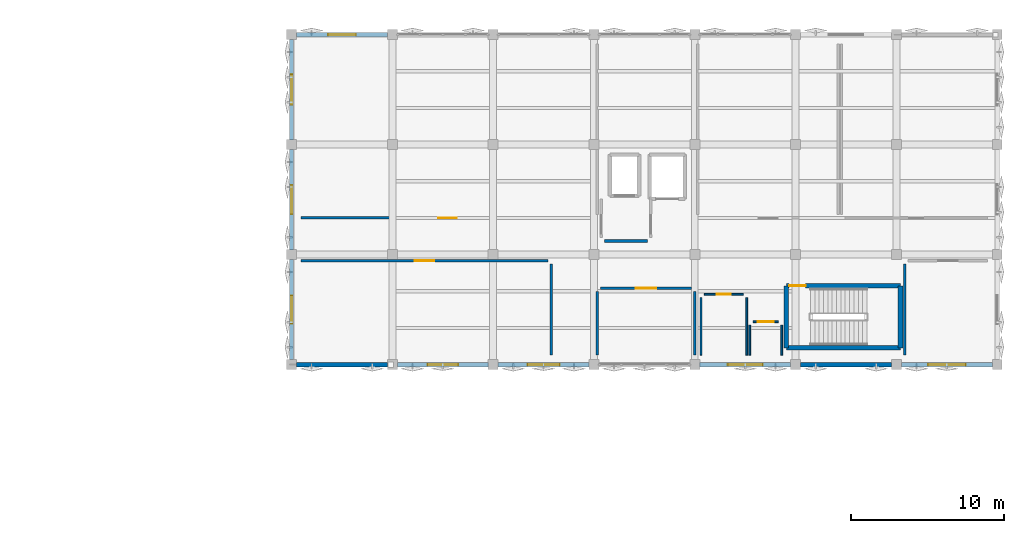
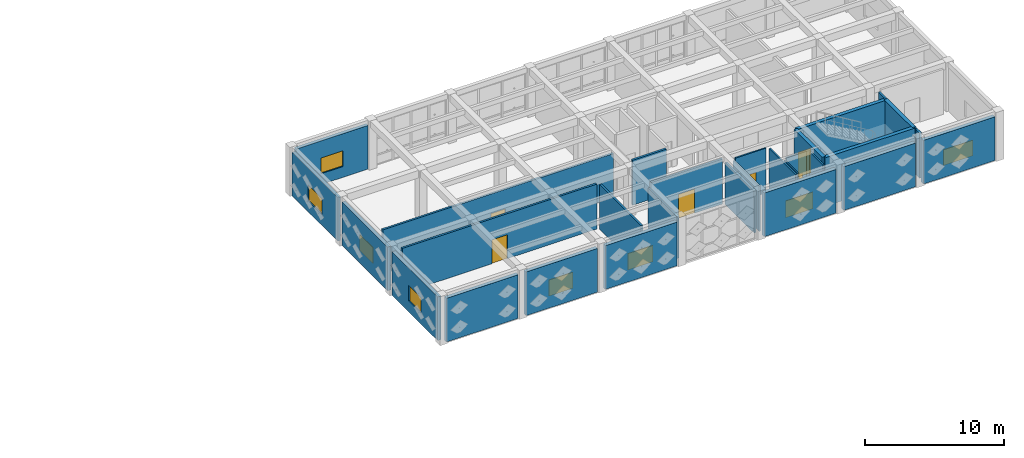
# One storey, part 31 of 39: 28 walls, 8 windows, 6 doors, 14 openings.
"""IFC4 building model written with IfcOpenShell, lengths in metres."""

from ifc_helpers import new_model, si_unit, direction, frame, frame_2d, origin, place, context, subcontext, project, spatial, rectangle, extrude, material, layer, layer_set, type_object, element, fill, save


model = new_model("IFC4")

# Units and contexts
model_context = context("Model", 3, precision=1e-05, world=origin(), true_north=direction((0.0, 1.0)))
body_context = subcontext(model_context, "Body", "Model", "MODEL_VIEW")
ifc_project = project(units=[si_unit("LENGTHUNIT", "METRE"), si_unit("AREAUNIT", "SQUARE_METRE"), si_unit("VOLUMEUNIT", "CUBIC_METRE"), si_unit("PLANEANGLEUNIT", "RADIAN"), si_unit("MASSUNIT", "GRAM", prefix="KILO")], contexts=[model_context])

# Site, building, storey
site_placement = place(None, origin())
site = spatial("IfcSite", under=ifc_project, at=site_placement, CompositionType="ELEMENT")
building_placement = place(site_placement, origin())
building = spatial("IfcBuilding", under=site, at=building_placement, Name="Kharisveld Research Institute", CompositionType="ELEMENT")
storey_placement = place(building_placement, frame((0.0, 0.0, 18.60009765625)))
storey = spatial("IfcBuildingStorey", under=building, at=storey_placement, Name="L04", CompositionType="ELEMENT", Elevation=18.60009765625)

# Wall
ifc_material_1 = material(Name="Concrete C40/50", Category="concrete")
ifc_layer_1 = layer(ifc_material_1, 0.300048828125)
ifc_layer_set_1 = layer_set([ifc_layer_1], Name="WL_CORE_300")
wall_type_1 = type_object("IfcWallType", Name="WL_CORE_300", PredefinedType="SHEAR", material=ifc_layer_set_1)
wall_1_placement = place(storey_placement, frame((147.0, 40.300048828125, 0.0), z_axis=(0.0, 0.0, 1.0), x_axis=(0.0, 1.0, 0.0)))
element("IfcWall", 1, at=wall_1_placement, inside=storey, type_object=wall_type_1, Name="WL:STR:ST3:L04:W", PredefinedType="SHEAR", context=body_context, shape_type="SweptSolid", body=[
    extrude(rectangle(XDim=4.06005859375, YDim=0.300048828125, at=frame_2d((2.030029296875, 0.0))), origin(), (0.0, 0.0, 1.0), 4.27978515625),
])

# Wall, opening, door
wall_2_placement = place(storey_placement, frame((147.0, 44.360107421875, 0.0), z_axis=(0.0, 0.0, 1.0), x_axis=(1.0, 0.0, 0.0)))
wall_2 = element("IfcWall", 2, at=wall_2_placement, inside=storey, type_object=wall_type_1, Name="WL:STR:ST3:L04:N", PredefinedType="SHEAR", context=body_context, shape_type="SweptSolid", body=[
    extrude(rectangle(XDim=7.469970703125, YDim=0.300048828125, at=frame_2d((3.73486328125, 0.0))), origin(), (0.0, 0.0, 1.0), 4.27978515625),
])
opening_1_placement = place(wall_2_placement, frame((0.179931640625, 0.0, 0.0)))
opening_1 = element("IfcOpeningElement", 3, at=opening_1_placement, cuts=wall_2, Name="Opening DS-032", PredefinedType="OPENING", context=body_context, shape_type="SweptSolid", body=[
    extrude(rectangle(XDim=1.080078125, YDim=2.14990234375, at=frame_2d((0.5400390625, 1.074951171875))), frame((0.0, 0.14990234375, 0.0), z_axis=(0.0, -1.0, 0.0), x_axis=(1.0, 0.0, 0.0)), (0.0, 0.0, 1.0), 0.300048828125),
])
ifc_material_2 = material(Name="Flush Painted Hardwood and Anodised Aluminium", Category="wood")
door_type_1 = type_object("IfcDoorType", Name="DR_FD60_108", OperationType="NOTDEFINED", PredefinedType="DOOR", material=ifc_material_2)
door_1_placement = place(opening_1_placement, origin())
door_1 = element("IfcDoor", 4, at=door_1_placement, inside=storey, type_object=door_type_1, Name="DR:STR:ST3:L04", OperationType="SINGLE_SWING_LEFT", OverallHeight=2.14990234375, OverallWidth=1.080078125, PredefinedType="DOOR", context=body_context, shape_type="SweptSolid", body=[
    extrude(rectangle(XDim=1.080078125, YDim=2.14990234375, at=frame_2d((0.5400390625, 1.074951171875))), frame((0.0, 0.02490234375, 0.0), z_axis=(0.0, -1.0, 0.0), x_axis=(1.0, 0.0, 0.0)), (0.0, 0.0, 1.0), 0.050048828125),
])
fill(opening_1, door_1)

# Walls
wall_3_placement = place(storey_placement, frame((154.469970703125, 44.360107421875, 0.0), z_axis=(0.0, 0.0, 1.0), x_axis=(0.0, -1.0, 0.0)))
element("IfcWall", 5, at=wall_3_placement, inside=storey, type_object=wall_type_1, Name="WL:STR:ST3:L04:E", PredefinedType="SHEAR", context=body_context, shape_type="SweptSolid", body=[
    extrude(rectangle(XDim=4.06005859375, YDim=0.300048828125, at=frame_2d((2.030029296875, 0.0))), origin(), (0.0, 0.0, 1.0), 4.27978515625),
])
wall_4_placement = place(storey_placement, frame((154.469970703125, 40.300048828125, 0.0), z_axis=(0.0, 0.0, 1.0), x_axis=(-1.0, 0.0, 0.0)))
element("IfcWall", 6, at=wall_4_placement, inside=storey, type_object=wall_type_1, Name="WL:STR:ST3:L04:S", PredefinedType="SHEAR", context=body_context, shape_type="SweptSolid", body=[
    extrude(rectangle(XDim=7.469970703125, YDim=0.300048828125, at=frame_2d((3.73486328125, 0.0))), origin(), (0.0, 0.0, 1.0), 4.27978515625),
])

# Wall, opening, window
ifc_material_3 = material(Name="Lightweight Acoustic Spandrel", Category="mineral")
ifc_layer_2 = layer(ifc_material_3, 0.2451171875)
ifc_layer_set_2 = layer_set([ifc_layer_2], Name="WL_EXT_245")
wall_type_2 = type_object("IfcWallType", Name="WL_EXT_245", PredefinedType="STANDARD", material=ifc_layer_set_2)
wall_5_placement = place(storey_placement, frame((114.60009765625, 53.919921875, 0.0), z_axis=(0.0, 0.0, 1.0), x_axis=(0.0, 1.0, 0.0)))
wall_5 = element("IfcWall", 7, at=wall_5_placement, inside=storey, type_object=wall_type_2, Name="WL:V2:L04:W2", PredefinedType="STANDARD", context=body_context, shape_type="SweptSolid", body=[
    extrude(rectangle(XDim=6.56005859375, YDim=0.2451171875, at=frame_2d((3.280029296875, 0.0))), origin(), (0.0, 0.0, 1.0), 3.8349609375),
])
opening_2_placement = place(wall_5_placement, frame((2.280029296875, 0.0, 0.949951171875)))
opening_2 = element("IfcOpeningElement", 8, at=opening_2_placement, cuts=wall_5, Name="Opening WN-30", PredefinedType="OPENING", context=body_context, shape_type="SweptSolid", body=[
    extrude(rectangle(XDim=2.0, YDim=1.419921875, at=frame_2d((1.0, 0.7099609375))), frame((0.0, 0.12255859375, 0.0), z_axis=(0.0, -1.0, 0.0), x_axis=(1.0, 0.0, 0.0)), (0.0, 0.0, 1.0), 0.2451171875),
])
ifc_material_4 = material(Name="Low-E Double Glazing", Category="glass")
window_type_1 = type_object("IfcWindowType", Name="WN_30", PartitioningType="DOUBLE_PANEL_VERTICAL", PredefinedType="WINDOW", material=ifc_material_4)
window_1_placement = place(opening_2_placement, origin())
window_1 = element("IfcWindow", 9, at=window_1_placement, inside=storey, type_object=window_type_1, Name="WN:V2:L04:W2", OverallHeight=1.419921875, OverallWidth=2.0, PartitioningType="SINGLE_PANEL", PredefinedType="WINDOW", context=body_context, shape_type="SweptSolid", body=[
    extrude(rectangle(XDim=2.0, YDim=1.419921875, at=frame_2d((1.0, 0.7099609375))), frame((0.0, 0.030029296875, 0.0), z_axis=(0.0, -1.0, 0.0), x_axis=(1.0, 0.0, 0.0)), (0.0, 0.0, 1.0), 0.06005859375),
])
fill(opening_2, window_1)

ifc_material_5 = material(Name="Precast Concrete C40/50 Thermal Wall", Category="concrete")
ifc_layer_3 = layer(ifc_material_5, 0.260009765625)
ifc_layer_set_3 = layer_set([ifc_layer_3], Name="WL_EXT_260")
wall_type_3 = type_object("IfcWallType", Name="WL_EXT_260", PredefinedType="STANDARD", material=ifc_layer_set_3)
wall_6_placement = place(storey_placement, frame((114.60009765625, 46.719970703125, 0.0), z_axis=(0.0, 0.0, 1.0), x_axis=(0.0, 1.0, 0.0)))
wall_6 = element("IfcWall", 10, at=wall_6_placement, inside=storey, type_object=wall_type_3, Name="WL:V2:L04:W1", PredefinedType="STANDARD", context=body_context, shape_type="SweptSolid", body=[
    extrude(rectangle(XDim=6.56005859375, YDim=0.260009765625, at=frame_2d((3.280029296875, 0.0))), origin(), (0.0, 0.0, 1.0), 3.8349609375),
])
opening_3_placement = place(wall_6_placement, frame((2.324951171875, 0.0, 0.949951171875)))
opening_3 = element("IfcOpeningElement", 11, at=opening_3_placement, cuts=wall_6, Name="Opening WN-29", PredefinedType="OPENING", context=body_context, shape_type="SweptSolid", body=[
    extrude(rectangle(XDim=1.909912109375, YDim=1.39990234375, at=frame_2d((0.955078125, 0.699951171875))), frame((0.0, 0.1298828125, 0.0), z_axis=(0.0, -1.0, 0.0), x_axis=(1.0, 0.0, 0.0)), (0.0, 0.0, 1.0), 0.260009765625),
])
ifc_material_6 = material(Name="Low-E Double Glazing", Category="glass")
window_type_2 = type_object("IfcWindowType", Name="WN_29", PartitioningType="DOUBLE_PANEL_VERTICAL", PredefinedType="WINDOW", material=ifc_material_6)
window_2_placement = place(opening_3_placement, origin())
window_2 = element("IfcWindow", 12, at=window_2_placement, inside=storey, type_object=window_type_2, Name="WN:V2:L04:W1", OverallHeight=1.39990234375, OverallWidth=1.909912109375, PartitioningType="SINGLE_PANEL", PredefinedType="WINDOW", context=body_context, shape_type="SweptSolid", body=[
    extrude(rectangle(XDim=1.909912109375, YDim=1.39990234375, at=frame_2d((0.955078125, 0.699951171875))), frame((0.0, 0.030029296875, 0.0), z_axis=(0.0, -1.0, 0.0), x_axis=(1.0, 0.0, 0.0)), (0.0, 0.0, 1.0), 0.06005859375),
])
fill(opening_3, window_2)

ifc_material_7 = material(Name="Precast Concrete C40/50 Thermal Wall", Category="concrete")
ifc_layer_4 = layer(ifc_material_7, 0.27490234375)
ifc_layer_set_4 = layer_set([ifc_layer_4], Name="WL_EXT_275")
wall_type_4 = type_object("IfcWallType", Name="WL_EXT_275", PredefinedType="STANDARD", material=ifc_layer_set_4)
wall_7_placement = place(storey_placement, frame((114.60009765625, 39.52001953125, 0.0), z_axis=(0.0, 0.0, 1.0), x_axis=(0.0, 1.0, 0.0)))
wall_7 = element("IfcWall", 13, at=wall_7_placement, inside=storey, type_object=wall_type_4, Name="WL:V2:L04:W0", PredefinedType="STANDARD", context=body_context, shape_type="SweptSolid", body=[
    extrude(rectangle(XDim=6.56005859375, YDim=0.27490234375, at=frame_2d((3.280029296875, 0.0))), origin(), (0.0, 0.0, 1.0), 3.8349609375),
])
opening_4_placement = place(wall_7_placement, frame((2.3701171875, 0.0, 0.949951171875)))
opening_4 = element("IfcOpeningElement", 14, at=opening_4_placement, cuts=wall_7, Name="Opening WN-28", PredefinedType="OPENING", context=body_context, shape_type="SweptSolid", body=[
    extrude(rectangle(XDim=1.820068359375, YDim=1.3798828125, at=frame_2d((0.91015625, 0.68994140625))), frame((0.0, 0.137451171875, 0.0), z_axis=(0.0, -1.0, 0.0), x_axis=(1.0, 0.0, 0.0)), (0.0, 0.0, 1.0), 0.27490234375),
])
ifc_material_8 = material(Name="Low-E Double Glazing", Category="glass")
window_type_3 = type_object("IfcWindowType", Name="WN_28", PartitioningType="DOUBLE_PANEL_VERTICAL", PredefinedType="WINDOW", material=ifc_material_8)
window_3_placement = place(opening_4_placement, origin())
window_3 = element("IfcWindow", 15, at=window_3_placement, inside=storey, type_object=window_type_3, Name="WN:V2:L04:W0", OverallHeight=1.3798828125, OverallWidth=1.820068359375, PartitioningType="SINGLE_PANEL", PredefinedType="WINDOW", context=body_context, shape_type="SweptSolid", body=[
    extrude(rectangle(XDim=1.820068359375, YDim=1.3798828125, at=frame_2d((0.91015625, 0.68994140625))), frame((0.0, 0.030029296875, 0.0), z_axis=(0.0, -1.0, 0.0), x_axis=(1.0, 0.0, 0.0)), (0.0, 0.0, 1.0), 0.06005859375),
])
fill(opening_4, window_3)

wall_8_placement = place(storey_placement, frame((114.919921875, 60.800048828125, 0.0), z_axis=(0.0, 0.0, 1.0), x_axis=(1.0, 0.0, 0.0)))
wall_8 = element("IfcWall", 16, at=wall_8_placement, inside=storey, type_object=wall_type_4, Name="WL:V2:L04:N0", PredefinedType="STANDARD", context=body_context, shape_type="SweptSolid", body=[
    extrude(rectangle(XDim=5.9599609375, YDim=0.27490234375, at=frame_2d((2.97998046875, 0.0))), origin(), (0.0, 0.0, 1.0), 3.8349609375),
])
opening_5_placement = place(wall_8_placement, frame((2.070068359375, 0.0, 0.949951171875)))
opening_5 = element("IfcOpeningElement", 17, at=opening_5_placement, cuts=wall_8, Name="Opening WN-28", PredefinedType="OPENING", context=body_context, shape_type="SweptSolid", body=[
    extrude(rectangle(XDim=1.820068359375, YDim=1.3798828125, at=frame_2d((0.91015625, 0.68994140625))), frame((0.0, 0.137451171875, 0.0), z_axis=(0.0, -1.0, 0.0), x_axis=(1.0, 0.0, 0.0)), (0.0, 0.0, 1.0), 0.27490234375),
])
window_4_placement = place(opening_5_placement, origin())
window_4 = element("IfcWindow", 18, at=window_4_placement, inside=storey, type_object=window_type_3, Name="WN:V2:L04:N0", OverallHeight=1.3798828125, OverallWidth=1.820068359375, PartitioningType="SINGLE_PANEL", PredefinedType="WINDOW", context=body_context, shape_type="SweptSolid", body=[
    extrude(rectangle(XDim=1.820068359375, YDim=1.3798828125, at=frame_2d((0.91015625, 0.68994140625))), frame((0.0, 0.030029296875, 0.0), z_axis=(0.0, -1.0, 0.0), x_axis=(1.0, 0.0, 0.0)), (0.0, 0.0, 1.0), 0.06005859375),
])
fill(opening_5, window_4)

ifc_material_9 = material(Name="Precast Concrete C40/50 Ochre Panel", Category="concrete")
ifc_layer_5 = layer(ifc_material_9, 0.304931640625)
ifc_layer_set_5 = layer_set([ifc_layer_5], Name="WL_EXT_305")
wall_type_5 = type_object("IfcWallType", Name="WL_EXT_305", PredefinedType="STANDARD", material=ifc_layer_set_5)
wall_9_placement = place(storey_placement, frame((160.47998046875, 39.199951171875, 0.0), z_axis=(0.0, 0.0, 1.0), x_axis=(-1.0, 0.0, 0.0)))
wall_9 = element("IfcWall", 19, at=wall_9_placement, inside=storey, type_object=wall_type_5, Name="WL:V2:L04:S7", PredefinedType="STANDARD", context=body_context, shape_type="SweptSolid", body=[
    extrude(rectangle(XDim=5.9599609375, YDim=0.304931640625, at=frame_2d((2.97998046875, 0.0))), origin(), (0.0, 0.0, 1.0), 3.8349609375),
])
opening_6_placement = place(wall_9_placement, frame((1.7548828125, 0.0, 0.949951171875)))
opening_6 = element("IfcOpeningElement", 20, at=opening_6_placement, cuts=wall_9, Name="Opening WN-35", PredefinedType="OPENING", context=body_context, shape_type="SweptSolid", body=[
    extrude(rectangle(XDim=2.449951171875, YDim=1.3798828125, at=frame_2d((1.22509765625, 0.68994140625))), frame((0.0, 0.15234375, 0.0), z_axis=(0.0, -1.0, 0.0), x_axis=(1.0, 0.0, 0.0)), (0.0, 0.0, 1.0), 0.304931640625),
])
ifc_material_10 = material(Name="Low-E Double Glazing", Category="glass")
window_type_4 = type_object("IfcWindowType", Name="WN_35", PartitioningType="DOUBLE_PANEL_VERTICAL", PredefinedType="WINDOW", material=ifc_material_10)
window_5_placement = place(opening_6_placement, origin())
window_5 = element("IfcWindow", 21, at=window_5_placement, inside=storey, type_object=window_type_4, Name="WN:V2:L04:S7", OverallHeight=1.3798828125, OverallWidth=2.449951171875, PartitioningType="SINGLE_PANEL", PredefinedType="WINDOW", context=body_context, shape_type="SweptSolid", body=[
    extrude(rectangle(XDim=2.449951171875, YDim=1.3798828125, at=frame_2d((1.22509765625, 0.68994140625))), frame((0.0, 0.030029296875, 0.0), z_axis=(0.0, -1.0, 0.0), x_axis=(1.0, 0.0, 0.0)), (0.0, 0.0, 1.0), 0.06005859375),
])
fill(opening_6, window_5)

# Wall
wall_10_placement = place(storey_placement, frame((153.8798828125, 39.199951171875, 0.0), z_axis=(0.0, 0.0, 1.0), x_axis=(-1.0, 0.0, 0.0)))
element("IfcWall", 22, at=wall_10_placement, inside=storey, type_object=wall_type_5, Name="WL:V2:L04:S6", PredefinedType="STANDARD", context=body_context, shape_type="SweptSolid", body=[
    extrude(rectangle(XDim=5.9599609375, YDim=0.304931640625, at=frame_2d((2.97998046875, 0.0))), origin(), (0.0, 0.0, 1.0), 3.8349609375),
])

# Wall, opening, window
wall_11_placement = place(storey_placement, frame((147.280029296875, 39.199951171875, 0.0), z_axis=(0.0, 0.0, 1.0), x_axis=(-1.0, 0.0, 0.0)))
wall_11 = element("IfcWall", 23, at=wall_11_placement, inside=storey, type_object=wall_type_5, Name="WL:V2:L04:S5", PredefinedType="STANDARD", context=body_context, shape_type="SweptSolid", body=[
    extrude(rectangle(XDim=5.9599609375, YDim=0.304931640625, at=frame_2d((2.97998046875, 0.0))), origin(), (0.0, 0.0, 1.0), 3.8349609375),
])
opening_7_placement = place(wall_11_placement, frame((1.844970703125, 0.0, 0.949951171875)))
opening_7 = element("IfcOpeningElement", 24, at=opening_7_placement, cuts=wall_11, Name="Opening WN-33", PredefinedType="OPENING", context=body_context, shape_type="SweptSolid", body=[
    extrude(rectangle(XDim=2.27001953125, YDim=1.47998046875, at=frame_2d((1.135009765625, 0.739990234375))), frame((0.0, 0.15234375, 0.0), z_axis=(0.0, -1.0, 0.0), x_axis=(1.0, 0.0, 0.0)), (0.0, 0.0, 1.0), 0.304931640625),
])
ifc_material_11 = material(Name="Low-E Double Glazing", Category="glass")
window_type_5 = type_object("IfcWindowType", Name="WN_33", PartitioningType="DOUBLE_PANEL_VERTICAL", PredefinedType="WINDOW", material=ifc_material_11)
window_6_placement = place(opening_7_placement, origin())
window_6 = element("IfcWindow", 25, at=window_6_placement, inside=storey, type_object=window_type_5, Name="WN:V2:L04:S5", OverallHeight=1.47998046875, OverallWidth=2.27001953125, PartitioningType="SINGLE_PANEL", PredefinedType="WINDOW", context=body_context, shape_type="SweptSolid", body=[
    extrude(rectangle(XDim=2.27001953125, YDim=1.47998046875, at=frame_2d((1.135009765625, 0.739990234375))), frame((0.0, 0.030029296875, 0.0), z_axis=(0.0, -1.0, 0.0), x_axis=(1.0, 0.0, 0.0)), (0.0, 0.0, 1.0), 0.06005859375),
])
fill(opening_7, window_6)

wall_12_placement = place(storey_placement, frame((134.080078125, 39.199951171875, 0.0), z_axis=(0.0, 0.0, 1.0), x_axis=(-1.0, 0.0, 0.0)))
wall_12 = element("IfcWall", 26, at=wall_12_placement, inside=storey, type_object=wall_type_5, Name="WL:V2:L04:S3", PredefinedType="STANDARD", context=body_context, shape_type="SweptSolid", body=[
    extrude(rectangle(XDim=5.9599609375, YDim=0.304931640625, at=frame_2d((2.97998046875, 0.0))), origin(), (0.0, 0.0, 1.0), 3.8349609375),
])
opening_8_placement = place(wall_12_placement, frame((1.93505859375, 0.0, 0.949951171875)))
opening_8 = element("IfcOpeningElement", 27, at=opening_8_placement, cuts=wall_12, Name="Opening WN-31", PredefinedType="OPENING", context=body_context, shape_type="SweptSolid", body=[
    extrude(rectangle(XDim=2.090087890625, YDim=1.43994140625, at=frame_2d((1.044921875, 0.719970703125))), frame((0.0, 0.15234375, 0.0), z_axis=(0.0, -1.0, 0.0), x_axis=(1.0, 0.0, 0.0)), (0.0, 0.0, 1.0), 0.304931640625),
])
ifc_material_12 = material(Name="Low-E Double Glazing", Category="glass")
window_type_6 = type_object("IfcWindowType", Name="WN_31", PartitioningType="DOUBLE_PANEL_VERTICAL", PredefinedType="WINDOW", material=ifc_material_12)
window_7_placement = place(opening_8_placement, origin())
window_7 = element("IfcWindow", 28, at=window_7_placement, inside=storey, type_object=window_type_6, Name="WN:V2:L04:S3", OverallHeight=1.43994140625, OverallWidth=2.090087890625, PartitioningType="SINGLE_PANEL", PredefinedType="WINDOW", context=body_context, shape_type="SweptSolid", body=[
    extrude(rectangle(XDim=2.090087890625, YDim=1.43994140625, at=frame_2d((1.044921875, 0.719970703125))), frame((0.0, 0.030029296875, 0.0), z_axis=(0.0, -1.0, 0.0), x_axis=(1.0, 0.0, 0.0)), (0.0, 0.0, 1.0), 0.06005859375),
])
fill(opening_8, window_7)

wall_13_placement = place(storey_placement, frame((127.47998046875, 39.199951171875, 0.0), z_axis=(0.0, 0.0, 1.0), x_axis=(-1.0, 0.0, 0.0)))
wall_13 = element("IfcWall", 29, at=wall_13_placement, inside=storey, type_object=wall_type_5, Name="WL:V2:L04:S2", PredefinedType="STANDARD", context=body_context, shape_type="SweptSolid", body=[
    extrude(rectangle(XDim=5.9599609375, YDim=0.304931640625, at=frame_2d((2.97998046875, 0.0))), origin(), (0.0, 0.0, 1.0), 3.8349609375),
])
opening_9_placement = place(wall_13_placement, frame((1.97998046875, 0.0, 0.949951171875)))
opening_9 = element("IfcOpeningElement", 30, at=opening_9_placement, cuts=wall_13, Name="Opening WN-30", PredefinedType="OPENING", context=body_context, shape_type="SweptSolid", body=[
    extrude(rectangle(XDim=2.0, YDim=1.419921875, at=frame_2d((1.0, 0.7099609375))), frame((0.0, 0.15234375, 0.0), z_axis=(0.0, -1.0, 0.0), x_axis=(1.0, 0.0, 0.0)), (0.0, 0.0, 1.0), 0.304931640625),
])
window_8_placement = place(opening_9_placement, origin())
window_8 = element("IfcWindow", 31, at=window_8_placement, inside=storey, type_object=window_type_1, Name="WN:V2:L04:S2", OverallHeight=1.419921875, OverallWidth=2.0, PartitioningType="SINGLE_PANEL", PredefinedType="WINDOW", context=body_context, shape_type="SweptSolid", body=[
    extrude(rectangle(XDim=2.0, YDim=1.419921875, at=frame_2d((1.0, 0.7099609375))), frame((0.0, 0.030029296875, 0.0), z_axis=(0.0, -1.0, 0.0), x_axis=(1.0, 0.0, 0.0)), (0.0, 0.0, 1.0), 0.06005859375),
])
fill(opening_9, window_8)

# Wall
wall_14_placement = place(storey_placement, frame((120.8798828125, 39.199951171875, 0.0), z_axis=(0.0, 0.0, 1.0), x_axis=(-1.0, 0.0, 0.0)))
element("IfcWall", 32, at=wall_14_placement, inside=storey, type_object=wall_type_5, Name="WL:V2:L04:S1", PredefinedType="STANDARD", context=body_context, shape_type="SweptSolid", body=[
    extrude(rectangle(XDim=5.9599609375, YDim=0.304931640625, at=frame_2d((2.97998046875, 0.0))), origin(), (0.0, 0.0, 1.0), 3.8349609375),
])

# Wall, opening, door
ifc_material_13 = material(Name="Acoustic Drywall Partition", Category="mineral")
ifc_layer_6 = layer(ifc_material_13, 0.1650390625)
ifc_layer_set_6 = layer_set([ifc_layer_6], Name="WL_LAB_165")
wall_type_6 = type_object("IfcWallType", Name="WL_LAB_165", PredefinedType="PARTITIONING", material=ifc_layer_set_6)
wall_15_placement = place(storey_placement, frame((115.219970703125, 48.800048828125, 0.0), z_axis=(0.0, 0.0, 1.0), x_axis=(1.0, 0.0, 0.0)))
wall_15 = element("IfcWall", 33, at=wall_15_placement, inside=storey, type_object=wall_type_6, Name="WL:RM:V2:L04:WLA:S", PredefinedType="PARTITIONING", context=body_context, shape_type="SweptSolid", body=[
    extrude(rectangle(XDim=19.159912109375, YDim=0.1650390625, at=frame_2d((9.580078125, 0.0))), origin(), (0.0, 0.0, 1.0), 3.885009765625),
])
opening_10_placement = place(wall_15_placement, frame((8.97509765625, 0.0, 0.0)))
opening_10 = element("IfcOpeningElement", 34, at=opening_10_placement, cuts=wall_15, Name="Opening DI-227", PredefinedType="OPENING", context=body_context, shape_type="SweptSolid", body=[
    extrude(rectangle(XDim=1.2099609375, YDim=2.159912109375, at=frame_2d((0.60498046875, 1.080078125))), frame((0.0, 0.08251953125, 0.0), z_axis=(0.0, -1.0, 0.0), x_axis=(1.0, 0.0, 0.0)), (0.0, 0.0, 1.0), 0.1650390625),
])
ifc_material_14 = material(Name="Flush Painted Hardwood and Anodised Aluminium", Category="wood")
door_type_2 = type_object("IfcDoorType", Name="DR_VAR_11", OperationType="NOTDEFINED", PredefinedType="DOOR", material=ifc_material_14)
door_2_placement = place(opening_10_placement, origin())
door_2 = element("IfcDoor", 35, at=door_2_placement, inside=storey, type_object=door_type_2, Name="DR:RM:V2:L04:WLA:S", OperationType="SINGLE_SWING_RIGHT", OverallHeight=2.159912109375, OverallWidth=1.2099609375, PredefinedType="DOOR", context=body_context, shape_type="SweptSolid", body=[
    extrude(rectangle(XDim=1.2099609375, YDim=2.159912109375, at=frame_2d((0.60498046875, 1.080078125))), frame((0.0, 0.02490234375, 0.0), z_axis=(0.0, -1.0, 0.0), x_axis=(1.0, 0.0, 0.0)), (0.0, 0.0, 1.0), 0.050048828125),
])
fill(opening_10, door_2)

# Wall
wall_16_placement = place(storey_placement, frame((131.60009765625, 39.820068359375, 0.0), z_axis=(0.0, 0.0, 1.0), x_axis=(0.0, 1.0, 0.0)))
element("IfcWall", 36, at=wall_16_placement, inside=storey, type_object=wall_type_6, Name="WL:RM:V2:L04:WLC:E", PredefinedType="PARTITIONING", context=body_context, shape_type="SweptSolid", body=[
    extrude(rectangle(XDim=5.9599609375, YDim=0.1650390625, at=frame_2d((2.97998046875, 0.0))), origin(), (0.0, 0.0, 1.0), 3.949951171875),
])

# Wall, opening, door
wall_17_placement = place(storey_placement, frame((131.3798828125, 46.0, 0.0), z_axis=(0.0, 0.0, 1.0), x_axis=(-1.0, 0.0, 0.0)))
wall_17 = element("IfcWall", 37, at=wall_17_placement, inside=storey, type_object=wall_type_6, Name="WL:RM:V2:L04:WLC:N", PredefinedType="PARTITIONING", context=body_context, shape_type="SweptSolid", body=[
    extrude(rectangle(XDim=16.159912109375, YDim=0.1650390625, at=frame_2d((8.080078125, 0.0))), origin(), (0.0, 0.0, 1.0), 3.949951171875),
])
opening_11_placement = place(wall_17_placement, frame((7.429931640625, 0.0, 0.0)))
opening_11 = element("IfcOpeningElement", 38, at=opening_11_placement, cuts=wall_17, Name="Opening DI-230", PredefinedType="OPENING", context=body_context, shape_type="SweptSolid", body=[
    extrude(rectangle(XDim=1.300048828125, YDim=2.10009765625, at=frame_2d((0.64990234375, 1.050048828125))), frame((0.0, 0.08251953125, 0.0), z_axis=(0.0, -1.0, 0.0), x_axis=(1.0, 0.0, 0.0)), (0.0, 0.0, 1.0), 0.1650390625),
])
ifc_material_15 = material(Name="Flush Painted Hardwood and Anodised Aluminium", Category="wood")
door_type_3 = type_object("IfcDoorType", Name="DR_VAR_14", OperationType="NOTDEFINED", PredefinedType="DOOR", material=ifc_material_15)
door_3_placement = place(opening_11_placement, origin())
door_3 = element("IfcDoor", 39, at=door_3_placement, inside=storey, type_object=door_type_3, Name="DR:RM:V2:L04:WLC:N", OperationType="SINGLE_SWING_LEFT", OverallHeight=2.10009765625, OverallWidth=1.300048828125, PredefinedType="DOOR", context=body_context, shape_type="SweptSolid", body=[
    extrude(rectangle(XDim=1.300048828125, YDim=2.10009765625, at=frame_2d((0.64990234375, 1.050048828125))), frame((0.0, 0.02490234375, 0.0), z_axis=(0.0, -1.0, 0.0), x_axis=(1.0, 0.0, 0.0)), (0.0, 0.0, 1.0), 0.050048828125),
])
fill(opening_11, door_3)

# Wall
wall_18_placement = place(storey_placement, frame((141.0, 39.820068359375, 0.0), z_axis=(0.0, 0.0, 1.0), x_axis=(0.0, 1.0, 0.0)))
element("IfcWall", 40, at=wall_18_placement, inside=storey, type_object=wall_type_6, Name="WL:RM:V2:L04:WLE:E", PredefinedType="PARTITIONING", context=body_context, shape_type="SweptSolid", body=[
    extrude(rectangle(XDim=4.159912109375, YDim=0.1650390625, at=frame_2d((2.080078125, 0.0))), origin(), (0.0, 0.0, 1.0), 3.684814453125),
])

# Wall, opening, door
wall_19_placement = place(storey_placement, frame((140.780029296875, 44.199951171875, 0.0), z_axis=(0.0, 0.0, 1.0), x_axis=(-1.0, 0.0, 0.0)))
wall_19 = element("IfcWall", 41, at=wall_19_placement, inside=storey, type_object=wall_type_6, Name="WL:RM:V2:L04:WLE:N", PredefinedType="PARTITIONING", context=body_context, shape_type="SweptSolid", body=[
    extrude(rectangle(XDim=5.9599609375, YDim=0.1650390625, at=frame_2d((2.97998046875, 0.0))), origin(), (0.0, 0.0, 1.0), 3.949951171875),
])
opening_12_placement = place(wall_19_placement, frame((2.31494140625, 0.0, 0.0)))
opening_12 = element("IfcOpeningElement", 42, at=opening_12_placement, cuts=wall_19, Name="Opening DI-231", PredefinedType="OPENING", context=body_context, shape_type="SweptSolid", body=[
    extrude(rectangle(XDim=1.330078125, YDim=2.1201171875, at=frame_2d((0.6650390625, 1.06005859375))), frame((0.0, 0.08251953125, 0.0), z_axis=(0.0, -1.0, 0.0), x_axis=(1.0, 0.0, 0.0)), (0.0, 0.0, 1.0), 0.1650390625),
])
ifc_material_16 = material(Name="Flush Painted Hardwood and Anodised Aluminium", Category="wood")
door_type_4 = type_object("IfcDoorType", Name="DR_VAR_15", OperationType="NOTDEFINED", PredefinedType="DOOR", material=ifc_material_16)
door_4_placement = place(opening_12_placement, origin())
door_4 = element("IfcDoor", 43, at=door_4_placement, inside=storey, type_object=door_type_4, Name="DR:RM:V2:L04:WLE:N", OperationType="SINGLE_SWING_RIGHT", OverallHeight=2.1201171875, OverallWidth=1.330078125, PredefinedType="DOOR", context=body_context, shape_type="SweptSolid", body=[
    extrude(rectangle(XDim=1.330078125, YDim=2.1201171875, at=frame_2d((0.6650390625, 1.06005859375))), frame((0.0, 0.02490234375, 0.0), z_axis=(0.0, -1.0, 0.0), x_axis=(1.0, 0.0, 0.0)), (0.0, 0.0, 1.0), 0.050048828125),
])
fill(opening_12, door_4)

# Walls
wall_20_placement = place(storey_placement, frame((134.60009765625, 43.97998046875, 0.0), z_axis=(0.0, 0.0, 1.0), x_axis=(0.0, -1.0, 0.0)))
element("IfcWall", 44, at=wall_20_placement, inside=storey, type_object=wall_type_6, Name="WL:RM:V2:L04:WLE:W", PredefinedType="PARTITIONING", context=body_context, shape_type="SweptSolid", body=[
    extrude(rectangle(XDim=4.159912109375, YDim=0.1650390625, at=frame_2d((2.080078125, 0.0))), origin(), (0.0, 0.0, 1.0), 3.684814453125),
])
wall_21_placement = place(storey_placement, frame((154.75, 45.780029296875, 0.0), z_axis=(0.0, 0.0, 1.0), x_axis=(0.0, -1.0, 0.0)))
element("IfcWall", 45, at=wall_21_placement, inside=storey, type_object=wall_type_6, Name="WL:RM:V2:L04:SEM:W", PredefinedType="PARTITIONING", context=body_context, shape_type="SweptSolid", body=[
    extrude(rectangle(XDim=5.9599609375, YDim=0.1650390625, at=frame_2d((2.97998046875, 0.0))), origin(), (0.0, 0.0, 1.0), 3.949951171875),
])
ifc_material_17 = material(Name="Masonry Blockwork", Category="masonry")
ifc_layer_7 = layer(ifc_material_17, 0.18505859375)
ifc_layer_set_7 = layer_set([ifc_layer_7], Name="WL_LOB_185")
wall_type_7 = type_object("IfcWallType", Name="WL_LOB_185", PredefinedType="SOLIDWALL", material=ifc_layer_set_7)
wall_22_placement = place(storey_placement, frame((135.10009765625, 47.300048828125, 0.0), z_axis=(0.0, 0.0, 1.0), x_axis=(1.0, 0.0, 0.0)))
element("IfcWall", 46, at=wall_22_placement, inside=storey, type_object=wall_type_7, Name="WL:RM:V2:L04:FFL:S", PredefinedType="SOLIDWALL", context=body_context, shape_type="SweptSolid", body=[
    extrude(rectangle(XDim=2.7998046875, YDim=0.18505859375, at=frame_2d((1.39990234375, 0.0))), origin(), (0.0, 0.0, 1.0), 3.949951171875),
])
ifc_material_18 = material(Name="Moisture-Resistant Partition", Category="mineral")
ifc_layer_8 = layer(ifc_material_18, 0.114990234375)
ifc_layer_set_8 = layer_set([ifc_layer_8], Name="WL_WC_115")
wall_type_8 = type_object("IfcWallType", Name="WL_WC_115", PredefinedType="PARTITIONING", material=ifc_layer_set_8)
wall_23_placement = place(storey_placement, frame((144.39990234375, 39.820068359375, 0.0), z_axis=(0.0, 0.0, 1.0), x_axis=(0.0, 1.0, 0.0)))
element("IfcWall", 47, at=wall_23_placement, inside=storey, type_object=wall_type_8, Name="WL:RM:V2:L04:WCM:E", PredefinedType="PARTITIONING", context=body_context, shape_type="SweptSolid", body=[
    extrude(rectangle(XDim=3.760009765625, YDim=0.114990234375, at=frame_2d((1.8798828125, 0.0))), origin(), (0.0, 0.0, 1.0), 3.949951171875),
])

# Wall, opening, door
wall_24_placement = place(storey_placement, frame((144.179931640625, 43.800048828125, 0.0), z_axis=(0.0, 0.0, 1.0), x_axis=(-1.0, 0.0, 0.0)))
wall_24 = element("IfcWall", 48, at=wall_24_placement, inside=storey, type_object=wall_type_8, Name="WL:RM:V2:L04:WCM:N", PredefinedType="PARTITIONING", context=body_context, shape_type="SweptSolid", body=[
    extrude(rectangle(XDim=2.559814453125, YDim=0.114990234375, at=frame_2d((1.27978515625, 0.0))), origin(), (0.0, 0.0, 1.0), 3.949951171875),
])
opening_13_placement = place(wall_24_placement, frame((0.830078125, 0.0, 0.0)))
opening_13 = element("IfcOpeningElement", 49, at=opening_13_placement, cuts=wall_24, Name="Opening DI-225", PredefinedType="OPENING", context=body_context, shape_type="SweptSolid", body=[
    extrude(rectangle(XDim=0.89990234375, YDim=2.10009765625, at=frame_2d((0.449951171875, 1.050048828125))), frame((0.0, 0.0576171875, 0.0), z_axis=(0.0, -1.0, 0.0), x_axis=(1.0, 0.0, 0.0)), (0.0, 0.0, 1.0), 0.114990234375),
])
ifc_material_19 = material(Name="Flush Painted Hardwood and Anodised Aluminium", Category="wood")
door_type_5 = type_object("IfcDoorType", Name="DR_WC_090", OperationType="NOTDEFINED", PredefinedType="DOOR", material=ifc_material_19)
door_5_placement = place(opening_13_placement, origin())
door_5 = element("IfcDoor", 50, at=door_5_placement, inside=storey, type_object=door_type_5, Name="DR:RM:V2:L04:WCM:N", OperationType="SINGLE_SWING_RIGHT", OverallHeight=2.10009765625, OverallWidth=0.89990234375, PredefinedType="DOOR", context=body_context, shape_type="SweptSolid", body=[
    extrude(rectangle(XDim=0.89990234375, YDim=2.10009765625, at=frame_2d((0.449951171875, 1.050048828125))), frame((0.0, 0.02490234375, 0.0), z_axis=(0.0, -1.0, 0.0), x_axis=(1.0, 0.0, 0.0)), (0.0, 0.0, 1.0), 0.050048828125),
])
fill(opening_13, door_5)

# Walls
wall_25_placement = place(storey_placement, frame((141.39990234375, 43.580078125, 0.0), z_axis=(0.0, 0.0, 1.0), x_axis=(0.0, -1.0, 0.0)))
element("IfcWall", 51, at=wall_25_placement, inside=storey, type_object=wall_type_8, Name="WL:RM:V2:L04:WCM:W", PredefinedType="PARTITIONING", context=body_context, shape_type="SweptSolid", body=[
    extrude(rectangle(XDim=3.760009765625, YDim=0.114990234375, at=frame_2d((1.8798828125, 0.0))), origin(), (0.0, 0.0, 1.0), 3.949951171875),
])
wall_26_placement = place(storey_placement, frame((146.699951171875, 39.820068359375, 0.0), z_axis=(0.0, 0.0, 1.0), x_axis=(0.0, 1.0, 0.0)))
element("IfcWall", 52, at=wall_26_placement, inside=storey, type_object=wall_type_8, Name="WL:RM:V2:L04:WCA:E", PredefinedType="PARTITIONING", context=body_context, shape_type="SweptSolid", body=[
    extrude(rectangle(XDim=1.9599609375, YDim=0.114990234375, at=frame_2d((0.97998046875, 0.0))), origin(), (0.0, 0.0, 1.0), 3.949951171875),
])

# Wall, opening, door
wall_27_placement = place(storey_placement, frame((146.47998046875, 42.0, 0.0), z_axis=(0.0, 0.0, 1.0), x_axis=(-1.0, 0.0, 0.0)))
wall_27 = element("IfcWall", 53, at=wall_27_placement, inside=storey, type_object=wall_type_8, Name="WL:RM:V2:L04:WCA:N", PredefinedType="PARTITIONING", context=body_context, shape_type="SweptSolid", body=[
    extrude(rectangle(XDim=1.659912109375, YDim=0.114990234375, at=frame_2d((0.830078125, 0.0))), origin(), (0.0, 0.0, 1.0), 3.949951171875),
])
opening_14_placement = place(wall_27_placement, frame((0.300048828125, 0.0, 0.0)))
opening_14 = element("IfcOpeningElement", 54, at=opening_14_placement, cuts=wall_27, Name="Opening DI-226", PredefinedType="OPENING", context=body_context, shape_type="SweptSolid", body=[
    extrude(rectangle(XDim=1.06005859375, YDim=2.1201171875, at=frame_2d((0.530029296875, 1.06005859375))), frame((0.0, 0.0576171875, 0.0), z_axis=(0.0, -1.0, 0.0), x_axis=(1.0, 0.0, 0.0)), (0.0, 0.0, 1.0), 0.114990234375),
])
ifc_material_20 = material(Name="Flush Painted Hardwood and Anodised Aluminium", Category="wood")
door_type_6 = type_object("IfcDoorType", Name="DR_WCA_106", OperationType="NOTDEFINED", PredefinedType="DOOR", material=ifc_material_20)
door_6_placement = place(opening_14_placement, origin())
door_6 = element("IfcDoor", 55, at=door_6_placement, inside=storey, type_object=door_type_6, Name="DR:RM:V2:L04:WCA:N", OperationType="SINGLE_SWING_LEFT", OverallHeight=2.1201171875, OverallWidth=1.06005859375, PredefinedType="DOOR", context=body_context, shape_type="SweptSolid", body=[
    extrude(rectangle(XDim=1.06005859375, YDim=2.1201171875, at=frame_2d((0.530029296875, 1.06005859375))), frame((0.0, 0.02490234375, 0.0), z_axis=(0.0, -1.0, 0.0), x_axis=(1.0, 0.0, 0.0)), (0.0, 0.0, 1.0), 0.050048828125),
])
fill(opening_14, door_6)

# Wall
wall_28_placement = place(storey_placement, frame((144.60009765625, 41.780029296875, 0.0), z_axis=(0.0, 0.0, 1.0), x_axis=(0.0, -1.0, 0.0)))
element("IfcWall", 56, at=wall_28_placement, inside=storey, type_object=wall_type_8, Name="WL:RM:V2:L04:WCA:W", PredefinedType="PARTITIONING", context=body_context, shape_type="SweptSolid", body=[
    extrude(rectangle(XDim=1.9599609375, YDim=0.114990234375, at=frame_2d((0.97998046875, 0.0))), origin(), (0.0, 0.0, 1.0), 3.949951171875),
])

save(model, "model.ifc")
